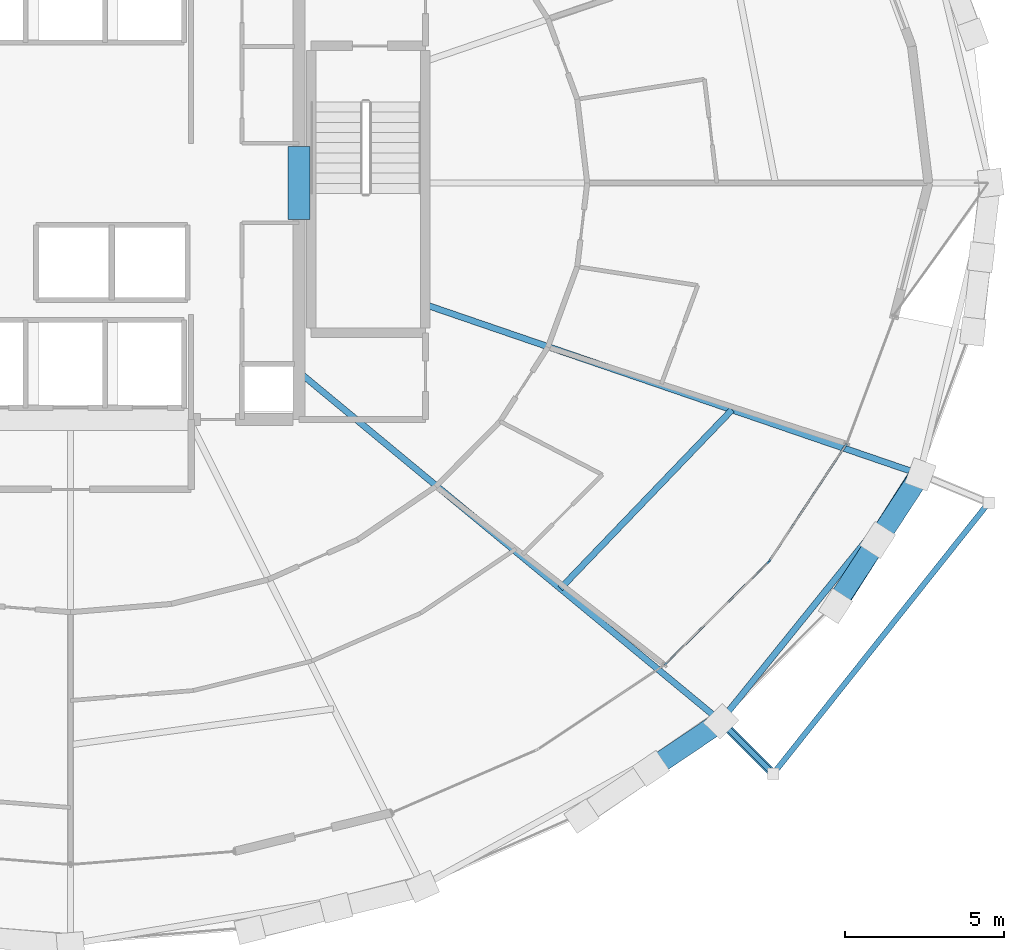
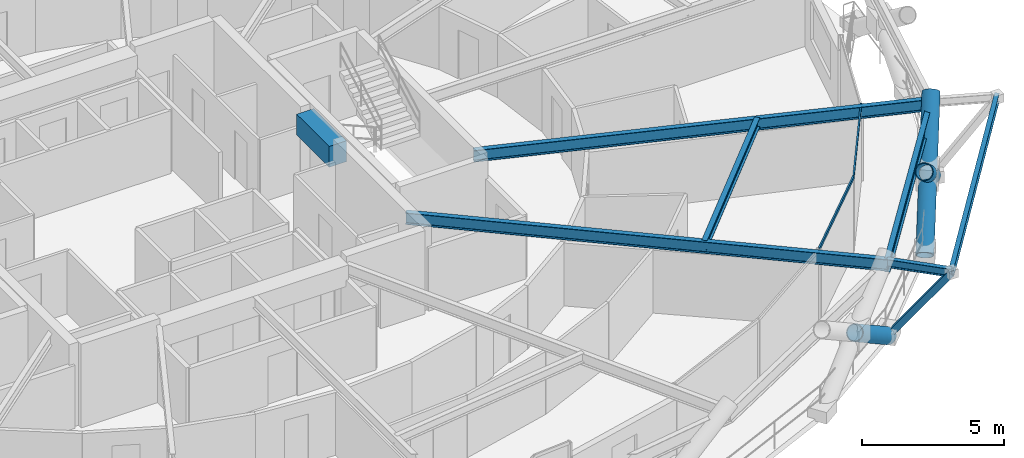
# One storey, part 9 of 20: 7 beams, 7 members, 1 element without a shape of its own.
"""IFC4 building model written with IfcOpenShell, lengths in metres."""

from ifc_helpers import new_model, si_unit, direction, frame, origin, origin_2d, place, context, subcontext, project, spatial, rectangle, hollow_rectangle, hollow_circle, i_section, extrude, material, layer, layer_set, material_profile, profile_set, type_object, element, aggregate, save


model = new_model("IFC4")

# Units and contexts
model_context = context("Model", 3, precision=1e-05, world=origin(), true_north=direction((0.0, 1.0)))
body_context = subcontext(model_context, "Body", "Model", "MODEL_VIEW")
ifc_project = project(units=[si_unit("LENGTHUNIT", "METRE"), si_unit("AREAUNIT", "SQUARE_METRE"), si_unit("VOLUMEUNIT", "CUBIC_METRE"), si_unit("PLANEANGLEUNIT", "RADIAN"), si_unit("MASSUNIT", "GRAM", prefix="KILO")], contexts=[model_context])

# Site, building, storey
site_placement = place(None, origin())
site = spatial("IfcSite", under=ifc_project, at=site_placement, CompositionType="ELEMENT")
building_placement = place(site_placement, origin())
building = spatial("IfcBuilding", under=site, at=building_placement, Name="Veldorina Hangang Commons", CompositionType="ELEMENT")
storey_placement = place(building_placement, frame((0.0, 0.0, 84.39990234375)))
storey = spatial("IfcBuildingStorey", under=building, at=storey_placement, Name="L21", CompositionType="ELEMENT", Elevation=84.39990234375)

# Beams
ifc_material_1 = material(Name="Concrete C70/85", Category="concrete")
ifc_material_profile_1 = material_profile(ifc_material_1, rectangle(XDim=0.699951171875, YDim=0.89990234375, at=origin_2d()), Name="RC-CB-700x900")
ifc_profile_set_1 = profile_set([ifc_material_profile_1], Name="Concrete C70/85")
beam_type_1 = type_object("IfcBeamType", Name="BM-CB900", PredefinedType="LINTEL", material=ifc_profile_set_1)
beam_1_placement = place(storey_placement, frame((39.199951171875, 22.85009765625, 2.89013671875), z_axis=(0.0, 1.0, 0.0), x_axis=(-1.0, 0.0, 0.0)))
element("IfcBeam", 1, at=beam_1_placement, inside=storey, type_object=beam_type_1, Name="L21 E core coupling lintel beam", PredefinedType="LINTEL", context=body_context, shape_type="SweptSolid", body=[
    extrude(rectangle(XDim=0.699951171875, YDim=0.89990234375, at=origin_2d()), origin(), (0.0, 0.0, 1.0), 2.2998046875),
])
ifc_material_2 = material(Name="Steel SM355-TMC", Category="steel")
ifc_material_profile_2 = material_profile(ifc_material_2, i_section(OverallWidth=0.175048828125, OverallDepth=0.35009765625, WebThickness=0.007080078125, FlangeThickness=0.010986328125, FilletRadius=0.012939453125, at=origin_2d()), Name="H-350x175x7x11")
ifc_profile_set_2 = profile_set([ifc_material_profile_2], Name="Steel SM355-TMC")
beam_type_2 = type_object("IfcBeamType", Name="BM-FG350", PredefinedType="BEAM", material=ifc_profile_set_2)
beam_2_placement = place(storey_placement, frame((52.471923828125, 7.05322265625, 3.1650390625), z_axis=(0.707106781187, -0.707106781187, 0.0), x_axis=(0.707106781187, 0.707106781187, 0.0)))
element("IfcBeam", 2, at=beam_2_placement, inside=storey, type_object=beam_type_2, Name="L22 tree balcony 2 bracket beam A", PredefinedType="BEAM", context=body_context, shape_type="SweptSolid", body=[
    extrude(i_section(OverallWidth=0.175048828125, OverallDepth=0.35009765625, WebThickness=0.007080078125, FlangeThickness=0.010986328125, FilletRadius=0.012939453125, at=origin_2d()), origin(), (0.0, 0.0, 1.0), 2.349853515625),
])
beam_3_placement = place(storey_placement, frame((54.133544921875, 5.3916015625, 3.1650390625), z_axis=(0.622193821841, 0.782863237138, 0.0), x_axis=(-0.782863237138, 0.622193821841, 0.0)))
element("IfcBeam", 3, at=beam_3_placement, inside=storey, type_object=beam_type_2, Name="L22 tree balcony 2 outer rim beam", PredefinedType="BEAM", context=body_context, shape_type="SweptSolid", body=[
    extrude(i_section(OverallWidth=0.175048828125, OverallDepth=0.35009765625, WebThickness=0.007080078125, FlangeThickness=0.010986328125, FilletRadius=0.012939453125, at=origin_2d()), origin(), (0.0, 0.0, 1.0), 10.905517578125),
])
ifc_material_3 = material(Name="Steel SM420-TMC", Category="steel")
ifc_material_profile_3 = material_profile(ifc_material_3, i_section(OverallWidth=0.199951171875, OverallDepth=0.5, WebThickness=0.010009765625, FlangeThickness=0.01611328125, FilletRadius=0.01611328125, at=origin_2d()), Name="H-500x200x10x16")
ifc_profile_set_3 = profile_set([ifc_material_profile_3], Name="Steel SM420-TMC")
beam_type_3 = type_object("IfcBeamType", Name="BM-FG500", PredefinedType="BEAM", material=ifc_profile_set_3)
beam_4_placement = place(storey_placement, frame((39.199951171875, 18.0400390625, 3.090087890625), z_axis=(0.770318971454, -0.637658750601, 0.0), x_axis=(0.637658750601, 0.770318971454, 0.0)))
element("IfcBeam", 4, at=beam_4_placement, inside=storey, type_object=beam_type_3, Name="L21 radial floor girder 15", PredefinedType="BEAM", context=body_context, shape_type="SweptSolid", body=[
    extrude(i_section(OverallWidth=0.199951171875, OverallDepth=0.5, WebThickness=0.010009765625, FlangeThickness=0.01611328125, FilletRadius=0.01611328125, at=origin_2d()), origin(), (0.0, 0.0, 1.0), 17.23291015625),
])
beam_5_placement = place(storey_placement, frame((43.179931640625, 20.16650390625, 3.090087890625), z_axis=(0.945941915866, -0.324336078487, 0.0), x_axis=(0.324336078487, 0.945941915866, 0.0)))
element("IfcBeam", 5, at=beam_5_placement, inside=storey, type_object=beam_type_3, Name="L21 radial floor girder 16", PredefinedType="BEAM", context=body_context, shape_type="SweptSolid", body=[
    extrude(i_section(OverallWidth=0.199951171875, OverallDepth=0.5, WebThickness=0.010009765625, FlangeThickness=0.01611328125, FilletRadius=0.01611328125, at=origin_2d()), origin(), (0.0, 0.0, 1.0), 16.461669921875),
])
ifc_material_profile_4 = material_profile(ifc_material_2, i_section(OverallWidth=0.199951171875, OverallDepth=0.39990234375, WebThickness=0.008056640625, FlangeThickness=0.012939453125, FilletRadius=0.012939453125, at=origin_2d()), Name="H-400x200x8x13")
ifc_profile_set_4 = profile_set([ifc_material_profile_4], Name="Steel SM355-TMC")
beam_type_4 = type_object("IfcBeamType", Name="BM-JST400", PredefinedType="JOIST", material=ifc_profile_set_4)
beam_6_placement = place(storey_placement, frame((47.430419921875, 11.226806640625, 3.14013671875), z_axis=(0.692520756794, 0.721397949408, 0.0), x_axis=(-0.721397949408, 0.692520756794, 0.0)))
element("IfcBeam", 6, at=beam_6_placement, inside=storey, type_object=beam_type_4, Name="L21 secondary floor joist 15", PredefinedType="JOIST", context=body_context, shape_type="SweptSolid", body=[
    extrude(i_section(OverallWidth=0.199951171875, OverallDepth=0.39990234375, WebThickness=0.008056640625, FlangeThickness=0.012939453125, FilletRadius=0.012939453125, at=origin_2d()), origin(), (0.0, 0.0, 1.0), 7.803466796875),
])
ifc_material_profile_5 = material_profile(ifc_material_3, i_section(OverallWidth=0.199951171875, OverallDepth=0.60009765625, WebThickness=0.010986328125, FlangeThickness=0.01708984375, FilletRadius=0.01806640625, at=origin_2d()), Name="H-600x200x11x17")
ifc_profile_set_5 = profile_set([ifc_material_profile_5], Name="Steel SM420-TMC")
beam_type_5 = type_object("IfcBeamType", Name="BM-RB600", PredefinedType="BEAM", material=ifc_profile_set_5)
beam_7_placement = place(storey_placement, frame((52.474853515625, 7.05126953125, 3.0400390625), z_axis=(0.628103361336, 0.778129916838, 0.0), x_axis=(-0.778129916838, 0.628103361336, 0.0)))
element("IfcBeam", 7, at=beam_7_placement, inside=storey, type_object=beam_type_5, Name="L21 perimeter hoop ring beam 28", PredefinedType="BEAM", context=body_context, shape_type="SweptSolid", body=[
    extrude(i_section(OverallWidth=0.199951171875, OverallDepth=0.60009765625, WebThickness=0.010986328125, FlangeThickness=0.01708984375, FilletRadius=0.01806640625, at=origin_2d()), origin(), (0.0, 0.0, 1.0), 9.993408203125),
])

# Curtain wall, members
ifc_material_4 = material(Name="Glass Low-E Triple IGU", Category="glass")
ifc_layer = layer(ifc_material_4, 0.179931640625)
ifc_layer_set = layer_set([ifc_layer], Name="Glass Low-E Triple IGU")
curtain_wall_type = type_object("IfcCurtainWallType", Name="CW-SYS-Z1", PredefinedType="NOTDEFINED", material=ifc_layer_set)
curtain_wall_placement = place(storey_placement, origin())
curtain_wall = element("IfcCurtainWall", 8, at=curtain_wall_placement, inside=storey, type_object=curtain_wall_type, Name="L21 unitised curtain wall CW-L21-R2", PredefinedType="NOTDEFINED")
ifc_material_5 = material(Name="Aluminium Anodized AA6063-T6", Category="aluminium")
ifc_material_profile_6 = material_profile(ifc_material_5, hollow_rectangle(XDim=0.06005859375, YDim=0.139892578125, WallThickness=0.00341796875, at=origin_2d()), Name="ALU-RHS-140x60x3.5")
ifc_profile_set_6 = profile_set([ifc_material_profile_6], Name="Aluminium Anodized AA6063-T6")
member_type_1 = type_object("IfcMemberType", Name="CW-TRN-140", PredefinedType="USERDEFINED", material=ifc_profile_set_6)
member_1_placement = place(storey_placement, frame((50.709228515625, 8.82177734375, 3.260009765625), z_axis=(0.711210421733, 0.702979186049, 0.0), x_axis=(-0.702979186049, 0.711210421733, 0.0)))
member_1 = element("IfcMember", 9, at=member_1_placement, type_object=member_type_1, Name="CW-L21-R2 facet 3 transom 1", ObjectType="TRANSOM", PredefinedType="USERDEFINED", context=body_context, shape_type="SweptSolid", body=[
    extrude(hollow_rectangle(XDim=0.06005859375, YDim=0.139892578125, WallThickness=0.00341796875, at=origin_2d()), origin(), (0.0, 0.0, 1.0), 4.626953125),
])
member_2_placement = place(storey_placement, frame((54.0, 12.074462890625, 3.260009765625), z_axis=(0.550127947375, 0.835080380273, 0.0), x_axis=(-0.835080380273, 0.550127947375, 0.0)))
member_2 = element("IfcMember", 10, at=member_2_placement, type_object=member_type_1, Name="CW-L21-R2 facet 4 transom 1", ObjectType="TRANSOM", PredefinedType="USERDEFINED", context=body_context, shape_type="SweptSolid", body=[
    extrude(hollow_rectangle(XDim=0.06005859375, YDim=0.139892578125, WallThickness=0.00341796875, at=origin_2d()), origin(), (0.0, 0.0, 1.0), 4.444091796875),
])
aggregate(curtain_wall, [member_1, member_2])

# Members
ifc_material_6 = material(Name="Steel SM460-TMC", Category="steel")
ifc_material_profile_7 = material_profile(ifc_material_6, hollow_circle(Radius=0.324951171875, WallThickness=0.031982421875, at=origin_2d()), Name="CHS-650x32")
ifc_profile_set_7 = profile_set([ifc_material_profile_7], Name="Steel SM460-TMC")
member_type_2 = type_object("IfcMemberType", Name="DG-CHS650", PredefinedType="BRACE", material=ifc_profile_set_7)
member_3_placement = place(storey_placement, frame((52.4912109375, 7.039794921875, 0.0), z_axis=(-0.686719625217, -0.462275100462, 0.560997226227), x_axis=(0.558426222761, -0.829554189751, 0.0)))
element("IfcMember", 11, at=member_3_placement, inside=storey, type_object=member_type_2, Name="L21 split perimeter diagrid lower brace 28", PredefinedType="BRACE", context=body_context, shape_type="SweptSolid", body=[
    extrude(hollow_circle(Radius=0.324951171875, WallThickness=0.031982421875, at=origin_2d()), origin(), (0.0, 0.0, 1.0), 3.2099609375),
])
member_4_placement = place(storey_placement, frame((56.09521484375, 10.674560546875, 0.0), z_axis=(0.434598968785, 0.680598385078, 0.589838600433), x_axis=(-0.842824210634, 0.538188953778, 0.0)))
element("IfcMember", 12, at=member_4_placement, inside=storey, type_object=member_type_2, Name="L21 continuous perimeter diagrid brace 29", PredefinedType="BRACE", context=body_context, shape_type="SweptSolid", body=[
    extrude(hollow_circle(Radius=0.324951171875, WallThickness=0.031982421875, at=origin_2d()), origin(), (0.0, 0.0, 1.0), 6.103515625),
])
member_5_placement = place(storey_placement, frame((58.773193359375, 14.8212890625, 0.0), z_axis=(-0.441887620067, -0.676645408827, 0.588970561188), x_axis=(0.837272350838, -0.546786073819, 0.0)))
element("IfcMember", 13, at=member_5_placement, inside=storey, type_object=member_type_2, Name="L21 split perimeter diagrid lower brace 30", PredefinedType="BRACE", context=body_context, shape_type="SweptSolid", body=[
    extrude(hollow_circle(Radius=0.324951171875, WallThickness=0.031982421875, at=origin_2d()), origin(), (0.0, 0.0, 1.0), 3.0576171875),
])
member_6_placement = place(storey_placement, frame((57.422119140625, 12.75244140625, 1.80078125), z_axis=(-0.44176991288, -0.676719902726, 0.588973273865), x_axis=(0.83736657706, -0.54664176169, 0.0)))
element("IfcMember", 14, at=member_6_placement, inside=storey, type_object=member_type_2, Name="L21 split perimeter diagrid upper brace 30", PredefinedType="BRACE", context=body_context, shape_type="SweptSolid", body=[
    extrude(hollow_circle(Radius=0.324951171875, WallThickness=0.031982421875, at=origin_2d()), origin(), (0.0, 0.0, 1.0), 3.054931640625),
])
ifc_material_profile_8 = material_profile(ifc_material_2, hollow_rectangle(XDim=0.25, YDim=0.25, WallThickness=0.011962890625, at=origin_2d()), Name="SHS-250x250x12")
ifc_profile_set_8 = profile_set([ifc_material_profile_8], Name="Steel SM355-TMC")
member_type_3 = type_object("IfcMemberType", Name="STR-SHS250", PredefinedType="STRUT", material=ifc_profile_set_8)
member_7_placement = place(storey_placement, frame((52.4912109375, 7.039794921875, 0.0), z_axis=(0.418081144094, -0.419572737294, 0.805708927016), x_axis=(0.708364788778, 0.705846531493, 0.0)))
element("IfcMember", 15, at=member_7_placement, inside=storey, type_object=member_type_3, Name="L22 tree balcony 2 raking knee strut A", PredefinedType="STRUT", context=body_context, shape_type="SweptSolid", body=[
    extrude(hollow_rectangle(XDim=0.25, YDim=0.25, WallThickness=0.011962890625, at=origin_2d()), origin(), (0.0, 0.0, 1.0), 3.92822265625),
])

save(model, "model.ifc")
